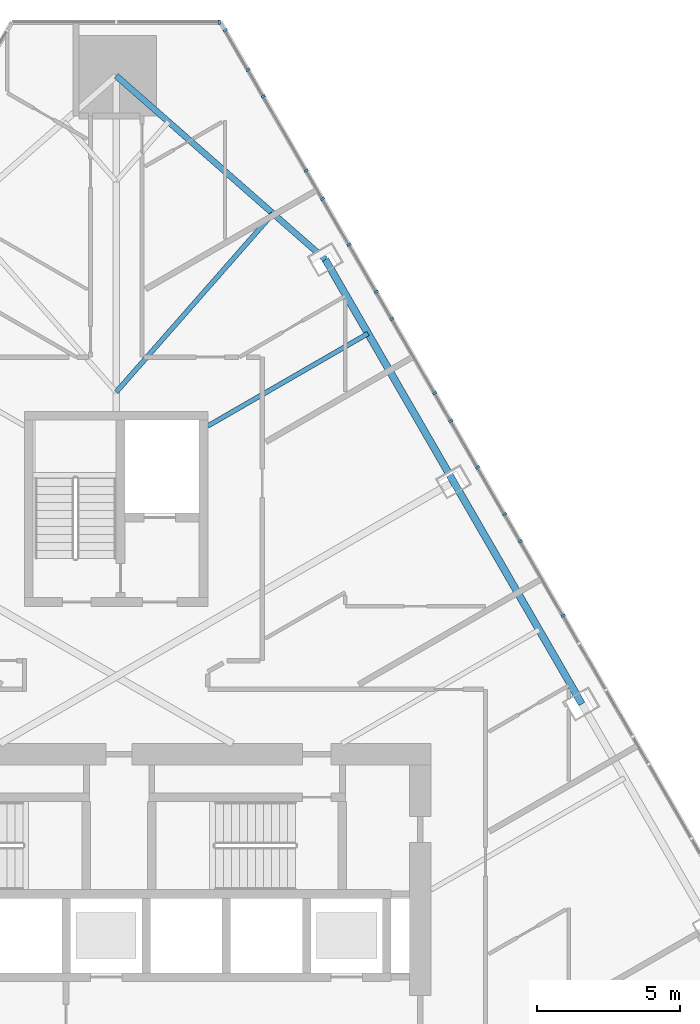
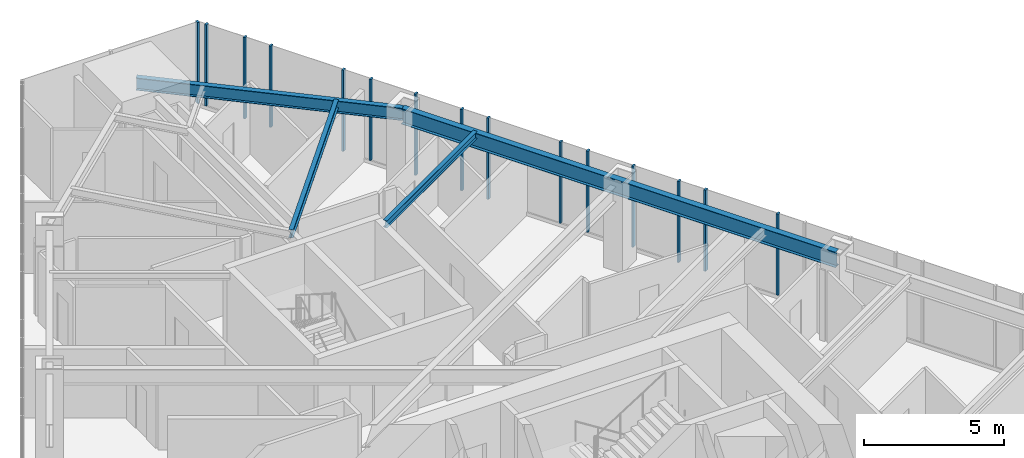
# One storey, part 12 of 26: 15 members, 4 beams, 2 elements without a shape of their own.
"""IFC4 building model written with IfcOpenShell, lengths in metres."""

from ifc_helpers import new_model, si_unit, direction, frame, origin, origin_2d, place, context, subcontext, project, spatial, rectangle, i_section, extrude, material, layer, layer_set, material_profile, profile_set, type_object, element, aggregate, save


model = new_model("IFC4")

# Units and contexts
model_context = context("Model", 3, precision=1e-05, world=origin(), true_north=direction((0.0, 1.0)))
body_context = subcontext(model_context, "Body", "Model", "MODEL_VIEW")
ifc_project = project(units=[si_unit("LENGTHUNIT", "METRE"), si_unit("AREAUNIT", "SQUARE_METRE"), si_unit("VOLUMEUNIT", "CUBIC_METRE"), si_unit("PLANEANGLEUNIT", "RADIAN"), si_unit("MASSUNIT", "GRAM", prefix="KILO")], contexts=[model_context])

# Site, building, storey
site_placement = place(None, origin())
site = spatial("IfcSite", under=ifc_project, at=site_placement, CompositionType="ELEMENT")
building_placement = place(site_placement, origin())
building = spatial("IfcBuilding", under=site, at=building_placement, Name="Firuza Gate Tower and Library", CompositionType="ELEMENT")
storey_placement = place(building_placement, frame((0.0, 0.0, 175.300048828125)))
storey = spatial("IfcBuildingStorey", under=building, at=storey_placement, Name="L40", CompositionType="ELEMENT", Elevation=175.300048828125)

# Curtain wall, members
ifc_material_1 = material(Name="Aluminium 6063-T6", Category="aluminium")
ifc_layer_1 = layer(ifc_material_1, 0.14990234375)
ifc_layer_set_1 = layer_set([ifc_layer_1], Name="Unitised curtain wall, hotel")
curtain_wall_type_1 = type_object("IfcCurtainWallType", Name="Unitised curtain wall, hotel", PredefinedType="NOTDEFINED", material=ifc_layer_set_1)
placement = place(storey_placement, origin())
curtain_wall_1 = element("IfcCurtainWall", 1, at=placement, inside=storey, type_object=curtain_wall_type_1, Name="CW2 L40 E face", PredefinedType="NOTDEFINED")
ifc_material_2 = material(Name="Aluminium 6063-T6", Category="aluminium")
ifc_material_profile_1 = material_profile(ifc_material_2, rectangle(XDim=0.14990234375, YDim=0.080078125, at=origin_2d()))
ifc_profile_set_1 = profile_set([ifc_material_profile_1], Name="Aluminium 6063-T6")
member_type = type_object("IfcMemberType", Name="Curtain wall mullion 80x150", PredefinedType="MULLION", material=ifc_profile_set_1)
member_1_placement = place(storey_placement, frame((90.61181640625, 87.468505859375, 0.14990234375), z_axis=(0.0, 0.0, 1.0), x_axis=(-0.866025403784, -0.5, 0.0)))
member_1 = element("IfcMember", 2, at=member_1_placement, type_object=member_type, Name="Mullion", PredefinedType="MULLION", context=body_context, shape_type="SweptSolid", body=[
    extrude(rectangle(XDim=0.14990234375, YDim=0.080078125, at=origin_2d()), origin(), (0.0, 0.0, 1.0), 3.550048828125),
])
member_2_placement = place(storey_placement, frame((89.11572265625, 90.059814453125, 0.14990234375), z_axis=(0.0, 0.0, 1.0), x_axis=(-0.866025403784, -0.5, 0.0)))
member_2 = element("IfcMember", 3, at=member_2_placement, type_object=member_type, Name="Mullion", PredefinedType="MULLION", context=body_context, shape_type="SweptSolid", body=[
    extrude(rectangle(XDim=0.14990234375, YDim=0.080078125, at=origin_2d()), origin(), (0.0, 0.0, 1.0), 3.550048828125),
])
member_3_placement = place(storey_placement, frame((87.61962890625, 92.65087890625, 0.14990234375), z_axis=(0.0, 0.0, 1.0), x_axis=(-0.866025403784, -0.5, 0.0)))
member_3 = element("IfcMember", 4, at=member_3_placement, type_object=member_type, Name="Mullion", PredefinedType="MULLION", context=body_context, shape_type="SweptSolid", body=[
    extrude(rectangle(XDim=0.14990234375, YDim=0.080078125, at=origin_2d()), origin(), (0.0, 0.0, 1.0), 3.550048828125),
])
member_4_placement = place(storey_placement, frame((86.12353515625, 95.2421875, 0.14990234375), z_axis=(0.0, 0.0, 1.0), x_axis=(-0.866025403784, -0.5, 0.0)))
member_4 = element("IfcMember", 5, at=member_4_placement, type_object=member_type, Name="Mullion", PredefinedType="MULLION", context=body_context, shape_type="SweptSolid", body=[
    extrude(rectangle(XDim=0.14990234375, YDim=0.080078125, at=origin_2d()), origin(), (0.0, 0.0, 1.0), 3.550048828125),
])
member_5_placement = place(storey_placement, frame((84.62744140625, 97.83349609375, 0.14990234375), z_axis=(0.0, 0.0, 1.0), x_axis=(-0.866025403784, -0.5, 0.0)))
member_5 = element("IfcMember", 6, at=member_5_placement, type_object=member_type, Name="Mullion", PredefinedType="MULLION", context=body_context, shape_type="SweptSolid", body=[
    extrude(rectangle(XDim=0.14990234375, YDim=0.080078125, at=origin_2d()), origin(), (0.0, 0.0, 1.0), 3.550048828125),
])
member_6_placement = place(storey_placement, frame((83.131591796875, 100.4248046875, 0.14990234375), z_axis=(0.0, 0.0, 1.0), x_axis=(-0.866025403784, -0.5, 0.0)))
member_6 = element("IfcMember", 7, at=member_6_placement, type_object=member_type, Name="Mullion", PredefinedType="MULLION", context=body_context, shape_type="SweptSolid", body=[
    extrude(rectangle(XDim=0.14990234375, YDim=0.080078125, at=origin_2d()), origin(), (0.0, 0.0, 1.0), 3.550048828125),
])
member_7_placement = place(storey_placement, frame((81.635498046875, 103.015869140625, 0.14990234375), z_axis=(0.0, 0.0, 1.0), x_axis=(-0.866025403784, -0.5, 0.0)))
member_7 = element("IfcMember", 8, at=member_7_placement, type_object=member_type, Name="Mullion", PredefinedType="MULLION", context=body_context, shape_type="SweptSolid", body=[
    extrude(rectangle(XDim=0.14990234375, YDim=0.080078125, at=origin_2d()), origin(), (0.0, 0.0, 1.0), 3.550048828125),
])
member_8_placement = place(storey_placement, frame((80.139404296875, 105.607177734375, 0.14990234375), z_axis=(0.0, 0.0, 1.0), x_axis=(-0.866025403784, -0.5, 0.0)))
member_8 = element("IfcMember", 9, at=member_8_placement, type_object=member_type, Name="Mullion", PredefinedType="MULLION", context=body_context, shape_type="SweptSolid", body=[
    extrude(rectangle(XDim=0.14990234375, YDim=0.080078125, at=origin_2d()), origin(), (0.0, 0.0, 1.0), 3.550048828125),
])
member_9_placement = place(storey_placement, frame((88.56591796875, 91.011962890625, 0.14990234375), z_axis=(0.0, 0.0, 1.0), x_axis=(-0.866025403784, -0.5, 0.0)))
member_9 = element("IfcMember", 10, at=member_9_placement, type_object=member_type, Name="Mullion", PredefinedType="MULLION", context=body_context, shape_type="SweptSolid", body=[
    extrude(rectangle(XDim=0.14990234375, YDim=0.080078125, at=origin_2d()), origin(), (0.0, 0.0, 1.0), 3.550048828125),
])
member_10_placement = place(storey_placement, frame((86.68798828125, 94.264892578125, 0.14990234375), z_axis=(0.0, 0.0, 1.0), x_axis=(-0.866025403784, -0.5, 0.0)))
member_10 = element("IfcMember", 11, at=member_10_placement, type_object=member_type, Name="Mullion", PredefinedType="MULLION", context=body_context, shape_type="SweptSolid", body=[
    extrude(rectangle(XDim=0.14990234375, YDim=0.080078125, at=origin_2d()), origin(), (0.0, 0.0, 1.0), 3.550048828125),
])
member_11_placement = place(storey_placement, frame((84.0849609375, 98.7734375, 0.14990234375), z_axis=(0.0, 0.0, 1.0), x_axis=(-0.866025403784, -0.5, 0.0)))
member_11 = element("IfcMember", 12, at=member_11_placement, type_object=member_type, Name="Mullion", PredefinedType="MULLION", context=body_context, shape_type="SweptSolid", body=[
    extrude(rectangle(XDim=0.14990234375, YDim=0.080078125, at=origin_2d()), origin(), (0.0, 0.0, 1.0), 3.550048828125),
])
member_12_placement = place(storey_placement, frame((82.20703125, 102.026123046875, 0.14990234375), z_axis=(0.0, 0.0, 1.0), x_axis=(-0.866025403784, -0.5, 0.0)))
member_12 = element("IfcMember", 13, at=member_12_placement, type_object=member_type, Name="Mullion", PredefinedType="MULLION", context=body_context, shape_type="SweptSolid", body=[
    extrude(rectangle(XDim=0.14990234375, YDim=0.080078125, at=origin_2d()), origin(), (0.0, 0.0, 1.0), 3.550048828125),
])
member_13_placement = place(storey_placement, frame((79.60400390625, 106.53466796875, 0.14990234375), z_axis=(0.0, 0.0, 1.0), x_axis=(-0.866025403784, -0.5, 0.0)))
member_13 = element("IfcMember", 14, at=member_13_placement, type_object=member_type, Name="Mullion", PredefinedType="MULLION", context=body_context, shape_type="SweptSolid", body=[
    extrude(rectangle(XDim=0.14990234375, YDim=0.080078125, at=origin_2d()), origin(), (0.0, 0.0, 1.0), 3.550048828125),
])
member_14_placement = place(storey_placement, frame((78.808837890625, 107.91162109375, 0.14990234375), z_axis=(0.0, 0.0, 1.0), x_axis=(-0.866025403784, -0.5, 0.0)))
member_14 = element("IfcMember", 15, at=member_14_placement, type_object=member_type, Name="Mullion", PredefinedType="MULLION", context=body_context, shape_type="SweptSolid", body=[
    extrude(rectangle(XDim=0.14990234375, YDim=0.080078125, at=origin_2d()), origin(), (0.0, 0.0, 1.0), 3.550048828125),
])
aggregate(curtain_wall_1, [member_1, member_2, member_3, member_4, member_5, member_6, member_7, member_8, member_9, member_10, member_11, member_12, member_13, member_14])

# Curtain wall, member
ifc_material_3 = material(Name="Aluminium 6063-T6", Category="aluminium")
ifc_layer_2 = layer(ifc_material_3, 0.14990234375)
ifc_layer_set_2 = layer_set([ifc_layer_2], Name="Corner curtain wall, chamfers")
curtain_wall_type_2 = type_object("IfcCurtainWallType", Name="Corner curtain wall, chamfers", PredefinedType="NOTDEFINED", material=ifc_layer_set_2)
curtain_wall_2 = element("IfcCurtainWall", 16, at=placement, inside=storey, type_object=curtain_wall_type_2, Name="CW4 L40 N corner", PredefinedType="NOTDEFINED")
member_15_placement = place(storey_placement, frame((78.603271484375, 108.198486328125, 0.14990234375), z_axis=(0.0, 0.0, 1.0), x_axis=(0.0, -1.0, 0.0)))
member_15 = element("IfcMember", 17, at=member_15_placement, type_object=member_type, Name="Mullion", PredefinedType="MULLION", context=body_context, shape_type="SweptSolid", body=[
    extrude(rectangle(XDim=0.14990234375, YDim=0.080078125, at=origin_2d()), origin(), (0.0, 0.0, 1.0), 3.550048828125),
])
aggregate(curtain_wall_2, [member_15])

# Beams
ifc_material_4 = material(Name="Steel S355", Category="steel")
ifc_material_profile_2 = material_profile(ifc_material_4, i_section(OverallWidth=0.1650390625, OverallDepth=0.31005859375, WebThickness=0.005859375, FlangeThickness=0.009765625, at=origin_2d()))
ifc_profile_set_2 = profile_set([ifc_material_profile_2], Name="Steel S355")
beam_type_1 = type_object("IfcBeamType", Name="W310x39 Floor beam", PredefinedType="JOIST", material=ifc_profile_set_2)
beam_1_placement = place(storey_placement, frame((83.795166015625, 97.3251953125, 3.544921875), z_axis=(-0.86602071536, -0.500008120501, 0.0), x_axis=(0.500008120501, -0.86602071536, 0.0)))
element("IfcBeam", 18, at=beam_1_placement, inside=storey, type_object=beam_type_1, Name="Floor beam L40 s55", PredefinedType="JOIST", context=body_context, shape_type="SweptSolid", body=[
    extrude(i_section(OverallWidth=0.1650390625, OverallDepth=0.31005859375, WebThickness=0.005859375, FlangeThickness=0.009765625, at=origin_2d()), origin(), (0.0, 0.0, 1.0), 6.4609375),
])
ifc_material_5 = material(Name="Steel S355", Category="steel")
ifc_material_profile_3 = material_profile(ifc_material_5, i_section(OverallWidth=0.1708984375, OverallDepth=0.35498046875, WebThickness=0.007080078125, FlangeThickness=0.01171875, at=origin_2d()))
ifc_profile_set_3 = profile_set([ifc_material_profile_3], Name="Steel S355")
beam_type_2 = type_object("IfcBeamType", Name="W360x51 Floor beam", PredefinedType="JOIST", material=ifc_profile_set_3)
beam_2_placement = place(storey_placement, frame((80.47607421875, 101.51513671875, 3.5224609375), z_axis=(-0.659805224478, -0.751436667824, 0.0), x_axis=(0.751436667824, -0.659805224478, 0.0)))
element("IfcBeam", 19, at=beam_2_placement, inside=storey, type_object=beam_type_2, Name="Floor beam L40 s60", PredefinedType="JOIST", context=body_context, shape_type="SweptSolid", body=[
    extrude(i_section(OverallWidth=0.1708984375, OverallDepth=0.35498046875, WebThickness=0.007080078125, FlangeThickness=0.01171875, at=origin_2d()), origin(), (0.0, 0.0, 1.0), 8.299560546875),
])
ifc_material_6 = material(Name="Steel S355", Category="steel")
ifc_material_profile_4 = material_profile(ifc_material_6, i_section(OverallWidth=0.212890625, OverallDepth=0.5390625, WebThickness=0.01171875, FlangeThickness=0.018798828125, at=origin_2d()))
ifc_profile_set_4 = profile_set([ifc_material_profile_4], Name="Steel S355")
beam_type_3 = type_object("IfcBeamType", Name="W530x109 Edge beam", PredefinedType="SPANDREL", material=ifc_profile_set_4)
beam_3_placement = place(storey_placement, frame((82.301513671875, 99.912353515625, 3.430419921875), z_axis=(-0.751437794332, 0.659803941524, 0.0), x_axis=(-0.659803941524, -0.751437794332, 0.0)))
element("IfcBeam", 20, at=beam_3_placement, inside=storey, type_object=beam_type_3, Name="Edge beam L40 e60", PredefinedType="SPANDREL", context=body_context, shape_type="SweptSolid", body=[
    extrude(i_section(OverallWidth=0.212890625, OverallDepth=0.5390625, WebThickness=0.01171875, FlangeThickness=0.018798828125, at=origin_2d()), origin(), (0.0, 0.0, 1.0), 9.716796875),
])
ifc_material_7 = material(Name="Steel S355", Category="steel")
ifc_material_profile_5 = material_profile(ifc_material_7, i_section(OverallWidth=0.2529296875, OverallDepth=0.677978515625, WebThickness=0.01171875, FlangeThickness=0.016357421875, at=origin_2d()))
ifc_profile_set_5 = profile_set([ifc_material_profile_5], Name="Steel S355")
beam_type_4 = type_object("IfcBeamType", Name="W690x125 Edge beam", PredefinedType="SPANDREL", material=ifc_profile_set_5)
beam_4_placement = place(storey_placement, frame((91.263427734375, 84.3896484375, 3.36083984375), z_axis=(-0.499994815902, 0.866028396804, 0.0), x_axis=(-0.866028396804, -0.499994815902, 0.0)))
element("IfcBeam", 21, at=beam_4_placement, inside=storey, type_object=beam_type_4, Name="Edge beam L40 e52", PredefinedType="SPANDREL", context=body_context, shape_type="SweptSolid", body=[
    extrude(i_section(OverallWidth=0.2529296875, OverallDepth=0.677978515625, WebThickness=0.01171875, FlangeThickness=0.016357421875, at=origin_2d()), origin(), (0.0, 0.0, 1.0), 17.924072265625),
])

save(model, "model.ifc")
